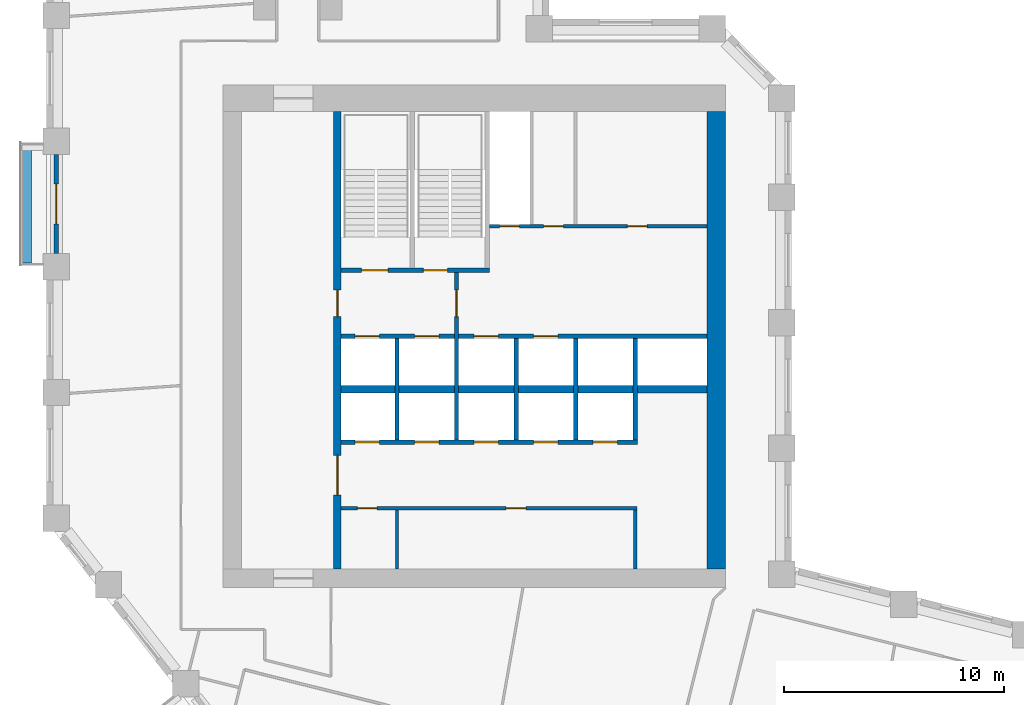
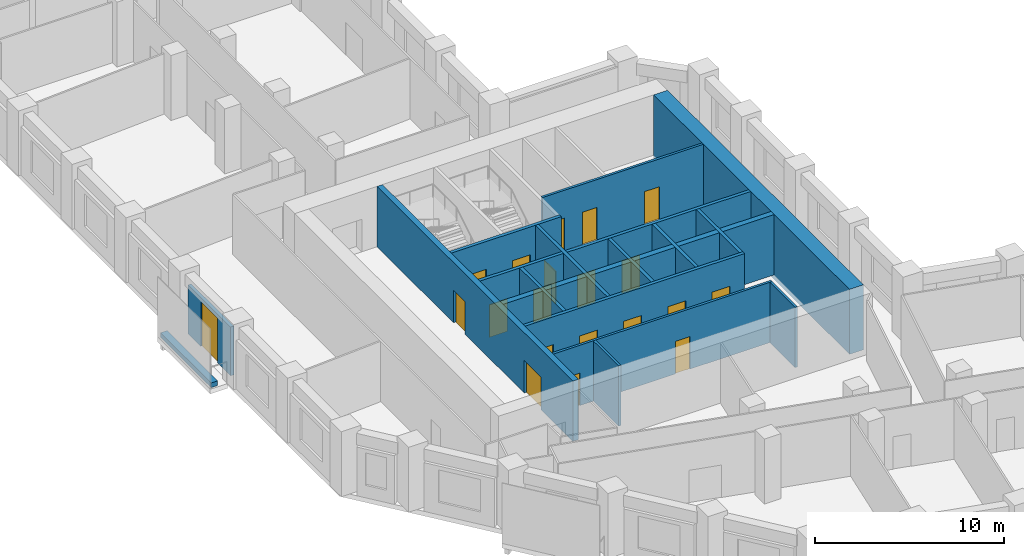
# One storey, part 5 of 10: 20 doors, 17 walls, 20 openings.
"""IFC4 building model written with IfcOpenShell, lengths in metres."""

from ifc_helpers import new_model, si_unit, direction, frame, frame_2d, origin, place, context, subcontext, project, spatial, rectangle, extrude, material, layer, layer_set, type_object, element, fill, save


model = new_model("IFC4")

# Units and contexts
model_context = context("Model", 3, precision=1e-05, world=origin(), true_north=direction((0.0, 1.0)))
body_context = subcontext(model_context, "Body", "Model", "MODEL_VIEW")
ifc_project = project(units=[si_unit("LENGTHUNIT", "METRE"), si_unit("AREAUNIT", "SQUARE_METRE"), si_unit("VOLUMEUNIT", "CUBIC_METRE"), si_unit("PLANEANGLEUNIT", "RADIAN"), si_unit("MASSUNIT", "GRAM", prefix="KILO")], contexts=[model_context])

# Site, building, storey
site_placement = place(None, origin())
site = spatial("IfcSite", under=ifc_project, at=site_placement, CompositionType="ELEMENT")
building_placement = place(site_placement, origin())
building = spatial("IfcBuilding", under=site, at=building_placement, Name="Meshkara Civic Tower", CompositionType="ELEMENT")
storey_placement = place(building_placement, frame((0.0, 0.0, 207.60009765625)))
storey = spatial("IfcBuildingStorey", under=building, at=storey_placement, Name="L47", CompositionType="ELEMENT", Elevation=207.60009765625)

# Wall, openings, doors
ifc_material_1 = material(Name="Blockwork", Category="masonry")
ifc_layer_1 = layer(ifc_material_1, 0.14990234375)
ifc_layer_set_1 = layer_set([ifc_layer_1], Name="Core partition 150")
wall_type_1 = type_object("IfcWallType", Name="Core partition 150", PredefinedType="PARTITIONING", material=ifc_layer_set_1)
wall_1_placement = place(storey_placement, frame((13.3701171875, 17.699951171875, 0.0), z_axis=(0.0, 0.0, 1.0), x_axis=(1.0, 0.0, 0.0)))
wall_1 = element("IfcWall", 1, at=wall_1_placement, inside=storey, type_object=wall_type_1, Name="L47-C005", PredefinedType="PARTITIONING", context=body_context, shape_type="SweptSolid", body=[
    extrude(rectangle(XDim=13.40478515625, YDim=0.14990234375, at=frame_2d((6.702392578125, 0.0))), origin(), (0.0, 0.0, 1.0), 3.89990234375),
])
opening_1_placement = place(wall_1_placement, frame((0.72998046875, 0.0, 0.0)))
opening_1 = element("IfcOpeningElement", 2, at=opening_1_placement, cuts=wall_1, Name="Opening L47-K010", PredefinedType="OPENING", context=body_context, shape_type="SweptSolid", body=[
    extrude(rectangle(XDim=0.89990234375, YDim=2.10009765625, at=frame_2d((0.449951171875, 1.050048828125))), frame((0.0, 0.0849609375, 0.0), z_axis=(0.0, -1.0, 0.0), x_axis=(1.0, 0.0, 0.0)), (0.0, 0.0, 1.0), 0.169921875),
])
opening_2_placement = place(wall_1_placement, frame((7.47998046875, 0.0, 0.0)))
opening_2 = element("IfcOpeningElement", 3, at=opening_2_placement, cuts=wall_1, Name="Opening L47-K011", PredefinedType="OPENING", context=body_context, shape_type="SweptSolid", body=[
    extrude(rectangle(XDim=0.89990234375, YDim=2.10009765625, at=frame_2d((0.449951171875, 1.050048828125))), frame((0.0, 0.0849609375, 0.0), z_axis=(0.0, -1.0, 0.0), x_axis=(1.0, 0.0, 0.0)), (0.0, 0.0, 1.0), 0.169921875),
])
ifc_material_2 = material(Name="Timber door leaf in steel frame", Category="steel")
door_type_1 = type_object("IfcDoorType", Name="Core room door 900", OperationType="SINGLE_SWING_LEFT", PredefinedType="DOOR", material=ifc_material_2)
door_1_placement = place(opening_1_placement, origin())
door_1 = element("IfcDoor", 4, at=door_1_placement, inside=storey, type_object=door_type_1, Name="L47-K010", OperationType="SINGLE_SWING_LEFT", OverallHeight=2.10009765625, OverallWidth=0.89990234375, PredefinedType="DOOR", context=body_context, shape_type="SweptSolid", body=[
    extrude(rectangle(XDim=0.89990234375, YDim=2.10009765625, at=frame_2d((0.449951171875, 1.050048828125))), frame((0.0, 0.02490234375, 0.0), z_axis=(0.0, -1.0, 0.0), x_axis=(1.0, 0.0, 0.0)), (0.0, 0.0, 1.0), 0.050048828125),
])
fill(opening_1, door_1)
door_2_placement = place(opening_2_placement, origin())
door_2 = element("IfcDoor", 5, at=door_2_placement, inside=storey, type_object=door_type_1, Name="L47-K011", OperationType="SINGLE_SWING_RIGHT", OverallHeight=2.10009765625, OverallWidth=0.89990234375, PredefinedType="DOOR", context=body_context, shape_type="SweptSolid", body=[
    extrude(rectangle(XDim=0.89990234375, YDim=2.10009765625, at=frame_2d((0.449951171875, 1.050048828125))), frame((0.0, 0.02490234375, 0.0), z_axis=(0.0, -1.0, 0.0), x_axis=(1.0, 0.0, 0.0)), (0.0, 0.0, 1.0), 0.050048828125),
])
fill(opening_2, door_2)

wall_2_placement = place(storey_placement, frame((20.10009765625, 30.5, 0.0), z_axis=(0.0, 0.0, 1.0), x_axis=(1.0, 0.0, 0.0)))
wall_2 = element("IfcWall", 6, at=wall_2_placement, inside=storey, type_object=wall_type_1, Name="L47-C010", PredefinedType="PARTITIONING", context=body_context, shape_type="SweptSolid", body=[
    extrude(rectangle(XDim=9.849853515625, YDim=0.14990234375, at=frame_2d((4.9248046875, 0.0))), origin(), (0.0, 0.0, 1.0), 3.89990234375),
])
opening_3_placement = place(wall_2_placement, frame((0.449951171875, 0.0, 0.0)))
opening_3 = element("IfcOpeningElement", 7, at=opening_3_placement, cuts=wall_2, Name="Opening L47-K012", PredefinedType="OPENING", context=body_context, shape_type="SweptSolid", body=[
    extrude(rectangle(XDim=0.89990234375, YDim=2.10009765625, at=frame_2d((0.449951171875, 1.050048828125))), frame((0.0, 0.0849609375, 0.0), z_axis=(0.0, -1.0, 0.0), x_axis=(1.0, 0.0, 0.0)), (0.0, 0.0, 1.0), 0.169921875),
])
opening_4_placement = place(wall_2_placement, frame((2.449951171875, 0.0, 0.0)))
opening_4 = element("IfcOpeningElement", 8, at=opening_4_placement, cuts=wall_2, Name="Opening L47-K013", PredefinedType="OPENING", context=body_context, shape_type="SweptSolid", body=[
    extrude(rectangle(XDim=0.89990234375, YDim=2.10009765625, at=frame_2d((0.449951171875, 1.050048828125))), frame((0.0, 0.0849609375, 0.0), z_axis=(0.0, -1.0, 0.0), x_axis=(1.0, 0.0, 0.0)), (0.0, 0.0, 1.0), 0.169921875),
])
opening_5_placement = place(wall_2_placement, frame((6.25, 0.0, 0.0)))
opening_5 = element("IfcOpeningElement", 9, at=opening_5_placement, cuts=wall_2, Name="Opening L47-K014", PredefinedType="OPENING", context=body_context, shape_type="SweptSolid", body=[
    extrude(rectangle(XDim=0.89990234375, YDim=2.10009765625, at=frame_2d((0.449951171875, 1.050048828125))), frame((0.0, 0.0849609375, 0.0), z_axis=(0.0, -1.0, 0.0), x_axis=(1.0, 0.0, 0.0)), (0.0, 0.0, 1.0), 0.169921875),
])
door_3_placement = place(opening_5_placement, origin())
door_3 = element("IfcDoor", 10, at=door_3_placement, inside=storey, type_object=door_type_1, Name="L47-K014", OperationType="SINGLE_SWING_RIGHT", OverallHeight=2.10009765625, OverallWidth=0.89990234375, PredefinedType="DOOR", context=body_context, shape_type="SweptSolid", body=[
    extrude(rectangle(XDim=0.89990234375, YDim=2.10009765625, at=frame_2d((0.449951171875, 1.050048828125))), frame((0.0, 0.02490234375, 0.0), z_axis=(0.0, -1.0, 0.0), x_axis=(1.0, 0.0, 0.0)), (0.0, 0.0, 1.0), 0.050048828125),
])
fill(opening_5, door_3)
ifc_material_3 = material(Name="Fire-rated door leaf in steel frame", Category="steel")
door_type_2 = type_object("IfcDoorType", Name="Riser door 900", OperationType="SINGLE_SWING_LEFT", PredefinedType="DOOR", material=ifc_material_3)
door_4_placement = place(opening_3_placement, origin())
door_4 = element("IfcDoor", 11, at=door_4_placement, inside=storey, type_object=door_type_2, Name="L47-K012", OperationType="SINGLE_SWING_RIGHT", OverallHeight=2.10009765625, OverallWidth=0.89990234375, PredefinedType="DOOR", context=body_context, shape_type="SweptSolid", body=[
    extrude(rectangle(XDim=0.89990234375, YDim=2.10009765625, at=frame_2d((0.449951171875, 1.050048828125))), frame((0.0, 0.02490234375, 0.0), z_axis=(0.0, -1.0, 0.0), x_axis=(1.0, 0.0, 0.0)), (0.0, 0.0, 1.0), 0.050048828125),
])
fill(opening_3, door_4)
ifc_material_4 = material(Name="Timber door leaf in steel frame", Category="steel")
door_type_3 = type_object("IfcDoorType", Name="WC door 900", OperationType="SINGLE_SWING_LEFT", PredefinedType="DOOR", material=ifc_material_4)
door_5_placement = place(opening_4_placement, origin())
door_5 = element("IfcDoor", 12, at=door_5_placement, inside=storey, type_object=door_type_3, Name="L47-K013", OperationType="SINGLE_SWING_LEFT", OverallHeight=2.10009765625, OverallWidth=0.89990234375, PredefinedType="DOOR", context=body_context, shape_type="SweptSolid", body=[
    extrude(rectangle(XDim=0.89990234375, YDim=2.10009765625, at=frame_2d((0.449951171875, 1.050048828125))), frame((0.0, 0.02490234375, 0.0), z_axis=(0.0, -1.0, 0.0), x_axis=(1.0, 0.0, 0.0)), (0.0, 0.0, 1.0), 0.050048828125),
])
fill(opening_4, door_5)

# Walls
for number, where, z_axis, x_axis, name in (
    (13, (15.89990234375, 14.949951171875, 0.0), (0.0, 0.0, 1.0), (0.0, 1.0, 0.0), "L47-C012"),
    (14, (26.699951171875, 14.949951171875, 0.0), (0.0, 0.0, 1.0), (0.0, 1.0, 0.0), "L47-C021"),
):
    element("IfcWall", number, at=place(storey_placement, frame(where, z_axis=z_axis, x_axis=x_axis)), inside=storey, type_object=wall_type_1, Name=name, PredefinedType="PARTITIONING", context=body_context, shape_type="SweptSolid", body=[
        extrude(rectangle(XDim=2.675048828125, YDim=0.14990234375, at=frame_2d((1.33740234375, 0.0))), origin(), (0.0, 0.0, 1.0), 3.89990234375),
    ])
ifc_material_5 = material(Name="Concrete C70", Category="concrete")
ifc_layer_2 = layer(ifc_material_5, 0.85009765625)
ifc_layer_set_2 = layer_set([ifc_layer_2], Name="Core ring wall 850 C70")
wall_type_2 = type_object("IfcWallType", Name="Core ring wall 850 C70", PredefinedType="SHEAR", material=ifc_layer_set_2)
wall_3_placement = place(storey_placement, frame((30.375, 14.949951171875, -0.300048828125), z_axis=(0.0, 0.0, 1.0), x_axis=(0.0, 1.0, 0.0)))
element("IfcWall", 15, at=wall_3_placement, inside=storey, type_object=wall_type_2, Name="L47-C004", PredefinedType="SHEAR", context=body_context, shape_type="SweptSolid", body=[
    extrude(rectangle(XDim=20.75, YDim=0.85009765625, at=frame_2d((10.375, 0.0))), origin(), (0.0, 0.0, 1.0), 4.199951171875),
])
ifc_material_6 = material(Name="Concrete C70", Category="concrete")
ifc_layer_3 = layer(ifc_material_6, 0.340087890625)
ifc_layer_set_3 = layer_set([ifc_layer_3], Name="Core shear wall 340 C70")
wall_type_3 = type_object("IfcWallType", Name="Core shear wall 340 C70", PredefinedType="SHEAR", material=ifc_layer_set_3)
wall_4_placement = place(storey_placement, frame((13.3701171875, 23.10009765625, 0.0), z_axis=(0.0, 0.0, 1.0), x_axis=(1.0, 0.0, 0.0)))
element("IfcWall", 16, at=wall_4_placement, inside=storey, type_object=wall_type_3, Name="L47-C007", PredefinedType="SHEAR", context=body_context, shape_type="SweptSolid", body=[
    extrude(rectangle(XDim=16.579833984375, YDim=0.340087890625, at=frame_2d((8.2900390625, 0.0))), origin(), (0.0, 0.0, 1.0), 3.89990234375),
])

# Wall, openings, doors
wall_5_placement = place(storey_placement, frame((13.199951171875, 14.949951171875, 0.0), z_axis=(0.0, 0.0, 1.0), x_axis=(0.0, 1.0, 0.0)))
wall_5 = element("IfcWall", 17, at=wall_5_placement, inside=storey, type_object=wall_type_3, Name="L47-C011", PredefinedType="SHEAR", context=body_context, shape_type="SweptSolid", body=[
    extrude(rectangle(XDim=20.75, YDim=0.340087890625, at=frame_2d((10.375, 0.0))), origin(), (0.0, 0.0, 1.0), 3.89990234375),
])
opening_6_placement = place(wall_5_placement, frame((3.35009765625, 0.0, 0.0)))
opening_6 = element("IfcOpeningElement", 18, at=opening_6_placement, cuts=wall_5, Name="Opening L47-K017", PredefinedType="OPENING", context=body_context, shape_type="SweptSolid", body=[
    extrude(rectangle(XDim=1.800048828125, YDim=2.10009765625, at=frame_2d((0.89990234375, 1.050048828125))), frame((0.0, 0.179931640625, 0.0), z_axis=(0.0, -1.0, 0.0), x_axis=(1.0, 0.0, 0.0)), (0.0, 0.0, 1.0), 0.360107421875),
])
opening_7_placement = place(wall_5_placement, frame((11.449951171875, 0.0, 0.0)))
opening_7 = element("IfcOpeningElement", 19, at=opening_7_placement, cuts=wall_5, Name="Opening L47-K018", PredefinedType="OPENING", context=body_context, shape_type="SweptSolid", body=[
    extrude(rectangle(XDim=1.199951171875, YDim=2.10009765625, at=frame_2d((0.60009765625, 1.050048828125))), frame((0.0, 0.179931640625, 0.0), z_axis=(0.0, -1.0, 0.0), x_axis=(1.0, 0.0, 0.0)), (0.0, 0.0, 1.0), 0.360107421875),
])
ifc_material_7 = material(Name="Fire-rated door leaf in steel frame", Category="steel")
door_type_4 = type_object("IfcDoorType", Name="Core double door 1800 EI 60", OperationType="DOUBLE_DOOR_SINGLE_SWING", PredefinedType="DOOR", material=ifc_material_7)
door_6_placement = place(opening_6_placement, origin())
door_6 = element("IfcDoor", 20, at=door_6_placement, inside=storey, type_object=door_type_4, Name="L47-K017", OperationType="DOUBLE_DOOR_SINGLE_SWING", OverallHeight=2.10009765625, OverallWidth=1.800048828125, PredefinedType="DOOR", context=body_context, shape_type="SweptSolid", body=[
    extrude(rectangle(XDim=1.800048828125, YDim=2.10009765625, at=frame_2d((0.89990234375, 1.050048828125))), frame((0.0, 0.02490234375, 0.0), z_axis=(0.0, -1.0, 0.0), x_axis=(1.0, 0.0, 0.0)), (0.0, 0.0, 1.0), 0.050048828125),
])
fill(opening_6, door_6)
ifc_material_8 = material(Name="Fire-rated door leaf in steel frame", Category="steel")
door_type_5 = type_object("IfcDoorType", Name="Fire-fighting lobby door 1200 EI 120", OperationType="SINGLE_SWING_LEFT", PredefinedType="DOOR", material=ifc_material_8)
door_7_placement = place(opening_7_placement, origin())
door_7 = element("IfcDoor", 21, at=door_7_placement, inside=storey, type_object=door_type_5, Name="L47-K018", OperationType="SINGLE_SWING_LEFT", OverallHeight=2.10009765625, OverallWidth=1.199951171875, PredefinedType="DOOR", context=body_context, shape_type="SweptSolid", body=[
    extrude(rectangle(XDim=1.199951171875, YDim=2.10009765625, at=frame_2d((0.60009765625, 1.050048828125))), frame((0.0, 0.02490234375, 0.0), z_axis=(0.0, -1.0, 0.0), x_axis=(1.0, 0.0, 0.0)), (0.0, 0.0, 1.0), 0.050048828125),
])
fill(opening_7, door_7)

# Wall, opening, door
ifc_material_9 = material(Name="Insulated infill panel with bronze anodised aluminium cladding", Category="aluminium")
ifc_layer_4 = layer(ifc_material_9, 0.199951171875)
ifc_layer_set_4 = layer_set([ifc_layer_4], Name="LOGGIA BACK WALL 200")
wall_type_4 = type_object("IfcWallType", Name="LOGGIA BACK WALL 200", PredefinedType="SOLIDWALL", material=ifc_layer_set_4)
wall_6_placement = place(storey_placement, frame((0.449951171875, 33.75390625, 0.0), z_axis=(0.0, 0.0, 1.0), x_axis=(0.0, -1.0, 0.0)))
wall_6 = element("IfcWall", 22, at=wall_6_placement, inside=storey, type_object=wall_type_4, Name="Loggia wall", PredefinedType="SOLIDWALL", context=body_context, shape_type="SweptSolid", body=[
    extrude(rectangle(XDim=4.497802734375, YDim=0.199951171875, at=frame_2d((2.2490234375, 0.0))), origin(), (0.0, 0.0, 1.0), 3.14990234375),
])
opening_8_placement = place(wall_6_placement, frame((1.34912109375, 0.0, 0.0)))
opening_8 = element("IfcOpeningElement", 23, at=opening_8_placement, cuts=wall_6, Name="Opening L47-L002", PredefinedType="OPENING", context=body_context, shape_type="SweptSolid", body=[
    extrude(rectangle(XDim=1.800048828125, YDim=2.89990234375, at=frame_2d((0.89990234375, 1.449951171875))), frame((0.0, 0.10986328125, 0.0), z_axis=(0.0, -1.0, 0.0), x_axis=(1.0, 0.0, 0.0)), (0.0, 0.0, 1.0), 0.219970703125),
])
ifc_material_10 = material(Name="Tinted double glazing", Category="glass")
door_type_6 = type_object("IfcDoorType", Name="LOGGIA DOOR 1800x2900", OperationType="DOUBLE_DOOR_SINGLE_SWING", PredefinedType="DOOR", material=ifc_material_10)
door_8_placement = place(opening_8_placement, origin())
door_8 = element("IfcDoor", 24, at=door_8_placement, inside=storey, type_object=door_type_6, Name="L47-L002", OperationType="DOUBLE_DOOR_SINGLE_SWING", OverallHeight=2.89990234375, OverallWidth=1.800048828125, PredefinedType="DOOR", context=body_context, shape_type="SweptSolid", body=[
    extrude(rectangle(XDim=1.800048828125, YDim=2.89990234375, at=frame_2d((0.89990234375, 1.449951171875))), frame((0.0, 0.02490234375, 0.0), z_axis=(0.0, -1.0, 0.0), x_axis=(1.0, 0.0, 0.0)), (0.0, 0.0, 1.0), 0.050048828125),
])
fill(opening_8, door_8)

# Wall
ifc_material_11 = material(Name="Concrete C40", Category="concrete")
ifc_layer_5 = layer(ifc_material_11, 0.39990234375)
ifc_layer_set_5 = layer_set([ifc_layer_5], Name="PLANTER TRAY")
wall_type_5 = type_object("IfcWallType", Name="PLANTER TRAY", PredefinedType="SOLIDWALL", material=ifc_layer_set_5)
wall_7_placement = place(storey_placement, frame((-0.8798828125, 34.18505859375, 0.0), z_axis=(0.0, 0.0, 1.0), x_axis=(0.0, -1.0, 0.0)))
element("IfcWall", 25, at=wall_7_placement, inside=storey, type_object=wall_type_5, Name="Planter", PredefinedType="SOLIDWALL", context=body_context, shape_type="SweptSolid", body=[
    extrude(rectangle(XDim=5.360107421875, YDim=0.39990234375, at=frame_2d((2.68017578125, 0.0))), origin(), (0.0, 0.0, 1.0), 0.2998046875),
])

# Wall, openings, doors
ifc_material_12 = material(Name="Concrete C40/50", Category="concrete")
ifc_layer_6 = layer(ifc_material_12, 0.199951171875)
ifc_layer_set_6 = layer_set([ifc_layer_6], Name="Shaft wall 200 C40/50")
wall_type_6 = type_object("IfcWallType", Name="Shaft wall 200 C40/50", PredefinedType="SOLIDWALL", material=ifc_layer_set_6)
wall_8_placement = place(storey_placement, frame((13.3701171875, 20.699951171875, 0.0), z_axis=(0.0, 0.0, 1.0), x_axis=(1.0, 0.0, 0.0)))
wall_8 = element("IfcWall", 26, at=wall_8_placement, inside=storey, type_object=wall_type_6, Name="L47-C006", PredefinedType="SOLIDWALL", context=body_context, shape_type="SweptSolid", body=[
    extrude(rectangle(XDim=13.429931640625, YDim=0.199951171875, at=frame_2d((6.71484375, 0.0))), origin(), (0.0, 0.0, 1.0), 3.89990234375),
])
opening_9_placement = place(wall_8_placement, frame((0.6298828125, 0.0, 0.0)))
opening_9 = element("IfcOpeningElement", 27, at=opening_9_placement, cuts=wall_8, Name="Opening L47-K001", PredefinedType="OPENING", context=body_context, shape_type="SweptSolid", body=[
    extrude(rectangle(XDim=1.10009765625, YDim=2.10009765625, at=frame_2d((0.550048828125, 1.050048828125))), frame((0.0, 0.10986328125, 0.0), z_axis=(0.0, -1.0, 0.0), x_axis=(1.0, 0.0, 0.0)), (0.0, 0.0, 1.0), 0.219970703125),
])
opening_10_placement = place(wall_8_placement, frame((3.330078125, 0.0, 0.0)))
opening_10 = element("IfcOpeningElement", 28, at=opening_10_placement, cuts=wall_8, Name="Opening L47-K002", PredefinedType="OPENING", context=body_context, shape_type="SweptSolid", body=[
    extrude(rectangle(XDim=1.10009765625, YDim=2.10009765625, at=frame_2d((0.550048828125, 1.050048828125))), frame((0.0, 0.10986328125, 0.0), z_axis=(0.0, -1.0, 0.0), x_axis=(1.0, 0.0, 0.0)), (0.0, 0.0, 1.0), 0.219970703125),
])
opening_11_placement = place(wall_8_placement, frame((6.030029296875, 0.0, 0.0)))
opening_11 = element("IfcOpeningElement", 29, at=opening_11_placement, cuts=wall_8, Name="Opening L47-K003", PredefinedType="OPENING", context=body_context, shape_type="SweptSolid", body=[
    extrude(rectangle(XDim=1.10009765625, YDim=2.10009765625, at=frame_2d((0.550048828125, 1.050048828125))), frame((0.0, 0.10986328125, 0.0), z_axis=(0.0, -1.0, 0.0), x_axis=(1.0, 0.0, 0.0)), (0.0, 0.0, 1.0), 0.219970703125),
])
opening_12_placement = place(wall_8_placement, frame((8.72998046875, 0.0, 0.0)))
opening_12 = element("IfcOpeningElement", 30, at=opening_12_placement, cuts=wall_8, Name="Opening L47-K004", PredefinedType="OPENING", context=body_context, shape_type="SweptSolid", body=[
    extrude(rectangle(XDim=1.10009765625, YDim=2.10009765625, at=frame_2d((0.550048828125, 1.050048828125))), frame((0.0, 0.10986328125, 0.0), z_axis=(0.0, -1.0, 0.0), x_axis=(1.0, 0.0, 0.0)), (0.0, 0.0, 1.0), 0.219970703125),
])
opening_13_placement = place(wall_8_placement, frame((11.429931640625, 0.0, 0.0)))
opening_13 = element("IfcOpeningElement", 31, at=opening_13_placement, cuts=wall_8, Name="Opening L47-K005", PredefinedType="OPENING", context=body_context, shape_type="SweptSolid", body=[
    extrude(rectangle(XDim=1.10009765625, YDim=2.10009765625, at=frame_2d((0.550048828125, 1.050048828125))), frame((0.0, 0.10986328125, 0.0), z_axis=(0.0, -1.0, 0.0), x_axis=(1.0, 0.0, 0.0)), (0.0, 0.0, 1.0), 0.219970703125),
])
ifc_material_13 = material(Name="Stainless steel landing door", Category="steel")
door_type_7 = type_object("IfcDoorType", Name="Lift landing door 1100", OperationType="SLIDING_TO_LEFT", PredefinedType="DOOR", material=ifc_material_13)
door_9_placement = place(opening_9_placement, origin())
door_9 = element("IfcDoor", 32, at=door_9_placement, inside=storey, type_object=door_type_7, Name="L47-K001", OperationType="SLIDING_TO_LEFT", OverallHeight=2.10009765625, OverallWidth=1.10009765625, PredefinedType="DOOR", context=body_context, shape_type="SweptSolid", body=[
    extrude(rectangle(XDim=1.10009765625, YDim=2.10009765625, at=frame_2d((0.550048828125, 1.050048828125))), frame((0.0, 0.02490234375, 0.0), z_axis=(0.0, -1.0, 0.0), x_axis=(1.0, 0.0, 0.0)), (0.0, 0.0, 1.0), 0.050048828125),
])
fill(opening_9, door_9)
door_10_placement = place(opening_10_placement, origin())
door_10 = element("IfcDoor", 33, at=door_10_placement, inside=storey, type_object=door_type_7, Name="L47-K002", OperationType="SLIDING_TO_LEFT", OverallHeight=2.10009765625, OverallWidth=1.10009765625, PredefinedType="DOOR", context=body_context, shape_type="SweptSolid", body=[
    extrude(rectangle(XDim=1.10009765625, YDim=2.10009765625, at=frame_2d((0.550048828125, 1.050048828125))), frame((0.0, 0.02490234375, 0.0), z_axis=(0.0, -1.0, 0.0), x_axis=(1.0, 0.0, 0.0)), (0.0, 0.0, 1.0), 0.050048828125),
])
fill(opening_10, door_10)
door_11_placement = place(opening_11_placement, origin())
door_11 = element("IfcDoor", 34, at=door_11_placement, inside=storey, type_object=door_type_7, Name="L47-K003", OperationType="SLIDING_TO_LEFT", OverallHeight=2.10009765625, OverallWidth=1.10009765625, PredefinedType="DOOR", context=body_context, shape_type="SweptSolid", body=[
    extrude(rectangle(XDim=1.10009765625, YDim=2.10009765625, at=frame_2d((0.550048828125, 1.050048828125))), frame((0.0, 0.02490234375, 0.0), z_axis=(0.0, -1.0, 0.0), x_axis=(1.0, 0.0, 0.0)), (0.0, 0.0, 1.0), 0.050048828125),
])
fill(opening_11, door_11)
door_12_placement = place(opening_12_placement, origin())
door_12 = element("IfcDoor", 35, at=door_12_placement, inside=storey, type_object=door_type_7, Name="L47-K004", OperationType="SLIDING_TO_LEFT", OverallHeight=2.10009765625, OverallWidth=1.10009765625, PredefinedType="DOOR", context=body_context, shape_type="SweptSolid", body=[
    extrude(rectangle(XDim=1.10009765625, YDim=2.10009765625, at=frame_2d((0.550048828125, 1.050048828125))), frame((0.0, 0.02490234375, 0.0), z_axis=(0.0, -1.0, 0.0), x_axis=(1.0, 0.0, 0.0)), (0.0, 0.0, 1.0), 0.050048828125),
])
fill(opening_12, door_12)
door_13_placement = place(opening_13_placement, origin())
door_13 = element("IfcDoor", 36, at=door_13_placement, inside=storey, type_object=door_type_7, Name="L47-K005", OperationType="SLIDING_TO_LEFT", OverallHeight=2.10009765625, OverallWidth=1.10009765625, PredefinedType="DOOR", context=body_context, shape_type="SweptSolid", body=[
    extrude(rectangle(XDim=1.10009765625, YDim=2.10009765625, at=frame_2d((0.550048828125, 1.050048828125))), frame((0.0, 0.02490234375, 0.0), z_axis=(0.0, -1.0, 0.0), x_axis=(1.0, 0.0, 0.0)), (0.0, 0.0, 1.0), 0.050048828125),
])
fill(opening_13, door_13)

wall_9_placement = place(storey_placement, frame((13.3701171875, 25.5, 0.0), z_axis=(0.0, 0.0, 1.0), x_axis=(1.0, 0.0, 0.0)))
wall_9 = element("IfcWall", 37, at=wall_9_placement, inside=storey, type_object=wall_type_6, Name="L47-C008", PredefinedType="SOLIDWALL", context=body_context, shape_type="SweptSolid", body=[
    extrude(rectangle(XDim=16.579833984375, YDim=0.199951171875, at=frame_2d((8.2900390625, 0.0))), origin(), (0.0, 0.0, 1.0), 3.89990234375),
])
opening_14_placement = place(wall_9_placement, frame((0.6298828125, 0.0, 0.0)))
opening_14 = element("IfcOpeningElement", 38, at=opening_14_placement, cuts=wall_9, Name="Opening L47-K006", PredefinedType="OPENING", context=body_context, shape_type="SweptSolid", body=[
    extrude(rectangle(XDim=1.10009765625, YDim=2.10009765625, at=frame_2d((0.550048828125, 1.050048828125))), frame((0.0, 0.10986328125, 0.0), z_axis=(0.0, -1.0, 0.0), x_axis=(1.0, 0.0, 0.0)), (0.0, 0.0, 1.0), 0.219970703125),
])
opening_15_placement = place(wall_9_placement, frame((3.330078125, 0.0, 0.0)))
opening_15 = element("IfcOpeningElement", 39, at=opening_15_placement, cuts=wall_9, Name="Opening L47-K007", PredefinedType="OPENING", context=body_context, shape_type="SweptSolid", body=[
    extrude(rectangle(XDim=1.10009765625, YDim=2.10009765625, at=frame_2d((0.550048828125, 1.050048828125))), frame((0.0, 0.10986328125, 0.0), z_axis=(0.0, -1.0, 0.0), x_axis=(1.0, 0.0, 0.0)), (0.0, 0.0, 1.0), 0.219970703125),
])
opening_16_placement = place(wall_9_placement, frame((6.030029296875, 0.0, 0.0)))
opening_16 = element("IfcOpeningElement", 40, at=opening_16_placement, cuts=wall_9, Name="Opening L47-K008", PredefinedType="OPENING", context=body_context, shape_type="SweptSolid", body=[
    extrude(rectangle(XDim=1.10009765625, YDim=2.10009765625, at=frame_2d((0.550048828125, 1.050048828125))), frame((0.0, 0.10986328125, 0.0), z_axis=(0.0, -1.0, 0.0), x_axis=(1.0, 0.0, 0.0)), (0.0, 0.0, 1.0), 0.219970703125),
])
opening_17_placement = place(wall_9_placement, frame((8.72998046875, 0.0, 0.0)))
opening_17 = element("IfcOpeningElement", 41, at=opening_17_placement, cuts=wall_9, Name="Opening L47-K009", PredefinedType="OPENING", context=body_context, shape_type="SweptSolid", body=[
    extrude(rectangle(XDim=1.10009765625, YDim=2.10009765625, at=frame_2d((0.550048828125, 1.050048828125))), frame((0.0, 0.10986328125, 0.0), z_axis=(0.0, -1.0, 0.0), x_axis=(1.0, 0.0, 0.0)), (0.0, 0.0, 1.0), 0.219970703125),
])
door_14_placement = place(opening_14_placement, origin())
door_14 = element("IfcDoor", 42, at=door_14_placement, inside=storey, type_object=door_type_7, Name="L47-K006", OperationType="SLIDING_TO_LEFT", OverallHeight=2.10009765625, OverallWidth=1.10009765625, PredefinedType="DOOR", context=body_context, shape_type="SweptSolid", body=[
    extrude(rectangle(XDim=1.10009765625, YDim=2.10009765625, at=frame_2d((0.550048828125, 1.050048828125))), frame((0.0, 0.02490234375, 0.0), z_axis=(0.0, -1.0, 0.0), x_axis=(1.0, 0.0, 0.0)), (0.0, 0.0, 1.0), 0.050048828125),
])
fill(opening_14, door_14)
door_15_placement = place(opening_15_placement, origin())
door_15 = element("IfcDoor", 43, at=door_15_placement, inside=storey, type_object=door_type_7, Name="L47-K007", OperationType="SLIDING_TO_LEFT", OverallHeight=2.10009765625, OverallWidth=1.10009765625, PredefinedType="DOOR", context=body_context, shape_type="SweptSolid", body=[
    extrude(rectangle(XDim=1.10009765625, YDim=2.10009765625, at=frame_2d((0.550048828125, 1.050048828125))), frame((0.0, 0.02490234375, 0.0), z_axis=(0.0, -1.0, 0.0), x_axis=(1.0, 0.0, 0.0)), (0.0, 0.0, 1.0), 0.050048828125),
])
fill(opening_15, door_15)
door_16_placement = place(opening_16_placement, origin())
door_16 = element("IfcDoor", 44, at=door_16_placement, inside=storey, type_object=door_type_7, Name="L47-K008", OperationType="SLIDING_TO_LEFT", OverallHeight=2.10009765625, OverallWidth=1.10009765625, PredefinedType="DOOR", context=body_context, shape_type="SweptSolid", body=[
    extrude(rectangle(XDim=1.10009765625, YDim=2.10009765625, at=frame_2d((0.550048828125, 1.050048828125))), frame((0.0, 0.02490234375, 0.0), z_axis=(0.0, -1.0, 0.0), x_axis=(1.0, 0.0, 0.0)), (0.0, 0.0, 1.0), 0.050048828125),
])
fill(opening_16, door_16)
door_17_placement = place(opening_17_placement, origin())
door_17 = element("IfcDoor", 45, at=door_17_placement, inside=storey, type_object=door_type_7, Name="L47-K009", OperationType="SLIDING_TO_LEFT", OverallHeight=2.10009765625, OverallWidth=1.10009765625, PredefinedType="DOOR", context=body_context, shape_type="SweptSolid", body=[
    extrude(rectangle(XDim=1.10009765625, YDim=2.10009765625, at=frame_2d((0.550048828125, 1.050048828125))), frame((0.0, 0.02490234375, 0.0), z_axis=(0.0, -1.0, 0.0), x_axis=(1.0, 0.0, 0.0)), (0.0, 0.0, 1.0), 0.050048828125),
])
fill(opening_17, door_17)

# Wall
wall_10_placement = place(storey_placement, frame((15.89990234375, 20.800048828125, 0.0), z_axis=(0.0, 0.0, 1.0), x_axis=(0.0, 1.0, 0.0)))
element("IfcWall", 46, at=wall_10_placement, inside=storey, type_object=wall_type_6, Name="L47-C013", PredefinedType="SOLIDWALL", context=body_context, shape_type="SweptSolid", body=[
    extrude(rectangle(XDim=4.599853515625, YDim=0.199951171875, at=frame_2d((2.2998046875, 0.0))), origin(), (0.0, 0.0, 1.0), 3.89990234375),
])

# Wall, opening, door
wall_11_placement = place(storey_placement, frame((18.60009765625, 20.800048828125, 0.0), z_axis=(0.0, 0.0, 1.0), x_axis=(0.0, 1.0, 0.0)))
wall_11 = element("IfcWall", 47, at=wall_11_placement, inside=storey, type_object=wall_type_6, Name="L47-C015", PredefinedType="SOLIDWALL", context=body_context, shape_type="SweptSolid", body=[
    extrude(rectangle(XDim=7.599853515625, YDim=0.199951171875, at=frame_2d((3.7998046875, 0.0))), origin(), (0.0, 0.0, 1.0), 3.89990234375),
])
opening_18_placement = place(wall_11_placement, frame((5.60009765625, 0.0, 0.0)))
opening_18 = element("IfcOpeningElement", 48, at=opening_18_placement, cuts=wall_11, Name="Opening L47-K019", PredefinedType="OPENING", context=body_context, shape_type="SweptSolid", body=[
    extrude(rectangle(XDim=1.199951171875, YDim=2.10009765625, at=frame_2d((0.60009765625, 1.050048828125))), frame((0.0, 0.10986328125, 0.0), z_axis=(0.0, -1.0, 0.0), x_axis=(1.0, 0.0, 0.0)), (0.0, 0.0, 1.0), 0.219970703125),
])
door_18_placement = place(opening_18_placement, origin())
door_18 = element("IfcDoor", 49, at=door_18_placement, inside=storey, type_object=door_type_5, Name="L47-K019", OperationType="SINGLE_SWING_RIGHT", OverallHeight=2.10009765625, OverallWidth=1.199951171875, PredefinedType="DOOR", context=body_context, shape_type="SweptSolid", body=[
    extrude(rectangle(XDim=1.199951171875, YDim=2.10009765625, at=frame_2d((0.60009765625, 1.050048828125))), frame((0.0, 0.02490234375, 0.0), z_axis=(0.0, -1.0, 0.0), x_axis=(1.0, 0.0, 0.0)), (0.0, 0.0, 1.0), 0.050048828125),
])
fill(opening_18, door_18)

# Walls
for number, where, z_axis, x_axis, name in (
    (50, (21.300048828125, 20.800048828125, 0.0), (0.0, 0.0, 1.0), (0.0, 1.0, 0.0), "L47-C017"),
    (51, (24.0, 20.800048828125, 0.0), (0.0, 0.0, 1.0), (0.0, 1.0, 0.0), "L47-C019"),
    (52, (26.699951171875, 20.800048828125, 0.0), (0.0, 0.0, 1.0), (0.0, 1.0, 0.0), "L47-C022"),
):
    element("IfcWall", number, at=place(storey_placement, frame(where, z_axis=z_axis, x_axis=x_axis)), inside=storey, type_object=wall_type_6, Name=name, PredefinedType="SOLIDWALL", context=body_context, shape_type="SweptSolid", body=[
        extrude(rectangle(XDim=4.599853515625, YDim=0.199951171875, at=frame_2d((2.2998046875, 0.0))), origin(), (0.0, 0.0, 1.0), 3.89990234375),
    ])

# Wall, openings, doors
ifc_material_14 = material(Name="Concrete C40/50", Category="concrete")
ifc_layer_7 = layer(ifc_material_14, 0.199951171875)
ifc_layer_set_7 = layer_set([ifc_layer_7], Name="Stair enclosure wall 200 C40/50")
wall_type_7 = type_object("IfcWallType", Name="Stair enclosure wall 200 C40/50", PredefinedType="SOLIDWALL", material=ifc_layer_set_7)
wall_12_placement = place(storey_placement, frame((13.3701171875, 28.5, 0.0), z_axis=(0.0, 0.0, 1.0), x_axis=(1.0, 0.0, 0.0)))
wall_12 = element("IfcWall", 53, at=wall_12_placement, inside=storey, type_object=wall_type_7, Name="L47-C009", PredefinedType="SOLIDWALL", context=body_context, shape_type="SweptSolid", body=[
    extrude(rectangle(XDim=6.72998046875, YDim=0.199951171875, at=frame_2d((3.364990234375, 0.0))), origin(), (0.0, 0.0, 1.0), 3.89990234375),
])
opening_19_placement = place(wall_12_placement, frame((0.929931640625, 0.0, 0.0)))
opening_19 = element("IfcOpeningElement", 54, at=opening_19_placement, cuts=wall_12, Name="Opening L47-K015", PredefinedType="OPENING", context=body_context, shape_type="SweptSolid", body=[
    extrude(rectangle(XDim=1.199951171875, YDim=2.10009765625, at=frame_2d((0.60009765625, 1.050048828125))), frame((0.0, 0.10986328125, 0.0), z_axis=(0.0, -1.0, 0.0), x_axis=(1.0, 0.0, 0.0)), (0.0, 0.0, 1.0), 0.219970703125),
])
opening_20_placement = place(wall_12_placement, frame((3.72998046875, 0.0, 0.0)))
opening_20 = element("IfcOpeningElement", 55, at=opening_20_placement, cuts=wall_12, Name="Opening L47-K016", PredefinedType="OPENING", context=body_context, shape_type="SweptSolid", body=[
    extrude(rectangle(XDim=1.10009765625, YDim=2.10009765625, at=frame_2d((0.550048828125, 1.050048828125))), frame((0.0, 0.10986328125, 0.0), z_axis=(0.0, -1.0, 0.0), x_axis=(1.0, 0.0, 0.0)), (0.0, 0.0, 1.0), 0.219970703125),
])
ifc_material_15 = material(Name="Fire-rated door leaf in steel frame", Category="steel")
door_type_8 = type_object("IfcDoorType", Name="Stair door 1100 EI 120", OperationType="SINGLE_SWING_LEFT", PredefinedType="DOOR", material=ifc_material_15)
door_19_placement = place(opening_20_placement, origin())
door_19 = element("IfcDoor", 56, at=door_19_placement, inside=storey, type_object=door_type_8, Name="L47-K016", OperationType="SINGLE_SWING_LEFT", OverallHeight=2.10009765625, OverallWidth=1.10009765625, PredefinedType="DOOR", context=body_context, shape_type="SweptSolid", body=[
    extrude(rectangle(XDim=1.10009765625, YDim=2.10009765625, at=frame_2d((0.550048828125, 1.050048828125))), frame((0.0, 0.02490234375, 0.0), z_axis=(0.0, -1.0, 0.0), x_axis=(1.0, 0.0, 0.0)), (0.0, 0.0, 1.0), 0.050048828125),
])
fill(opening_20, door_19)
ifc_material_16 = material(Name="Fire-rated door leaf in steel frame", Category="steel")
door_type_9 = type_object("IfcDoorType", Name="Stair door 1200 EI 120", OperationType="SINGLE_SWING_LEFT", PredefinedType="DOOR", material=ifc_material_16)
door_20_placement = place(opening_19_placement, origin())
door_20 = element("IfcDoor", 57, at=door_20_placement, inside=storey, type_object=door_type_9, Name="L47-K015", OperationType="SINGLE_SWING_RIGHT", OverallHeight=2.10009765625, OverallWidth=1.199951171875, PredefinedType="DOOR", context=body_context, shape_type="SweptSolid", body=[
    extrude(rectangle(XDim=1.199951171875, YDim=2.10009765625, at=frame_2d((0.60009765625, 1.050048828125))), frame((0.0, 0.02490234375, 0.0), z_axis=(0.0, -1.0, 0.0), x_axis=(1.0, 0.0, 0.0)), (0.0, 0.0, 1.0), 0.050048828125),
])
fill(opening_19, door_20)

save(model, "model.ifc")
